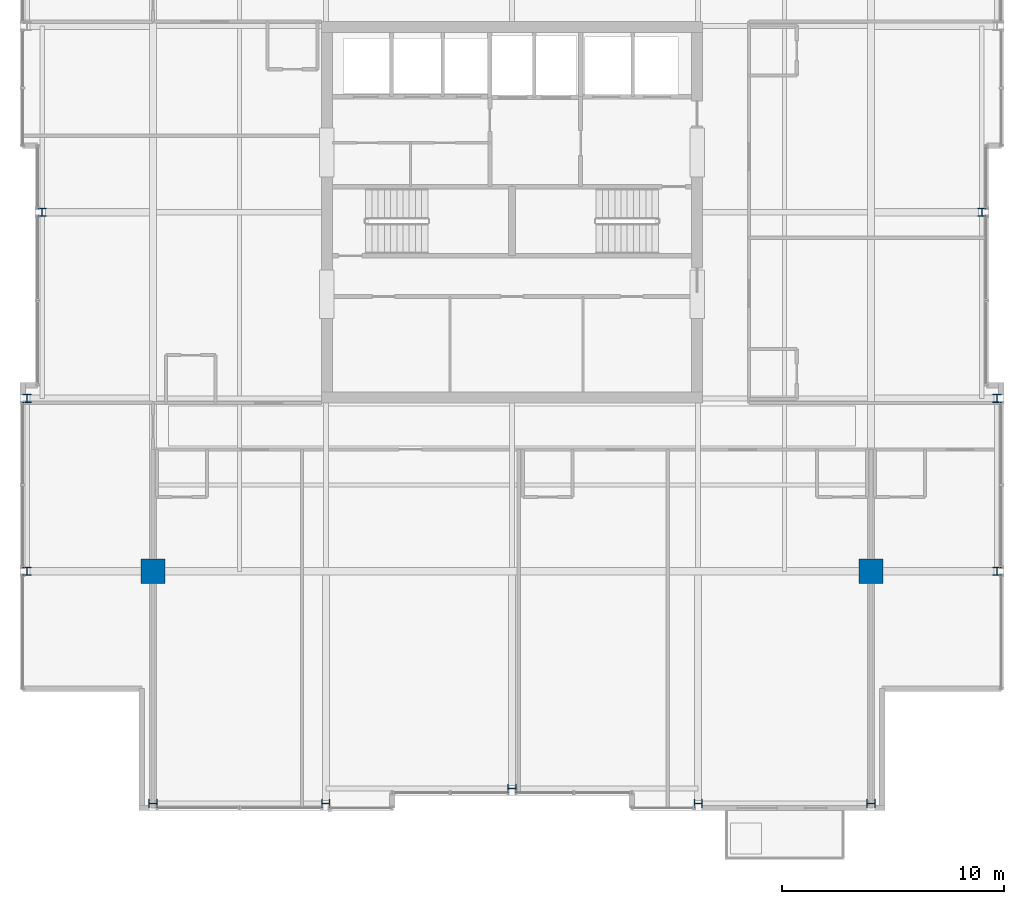
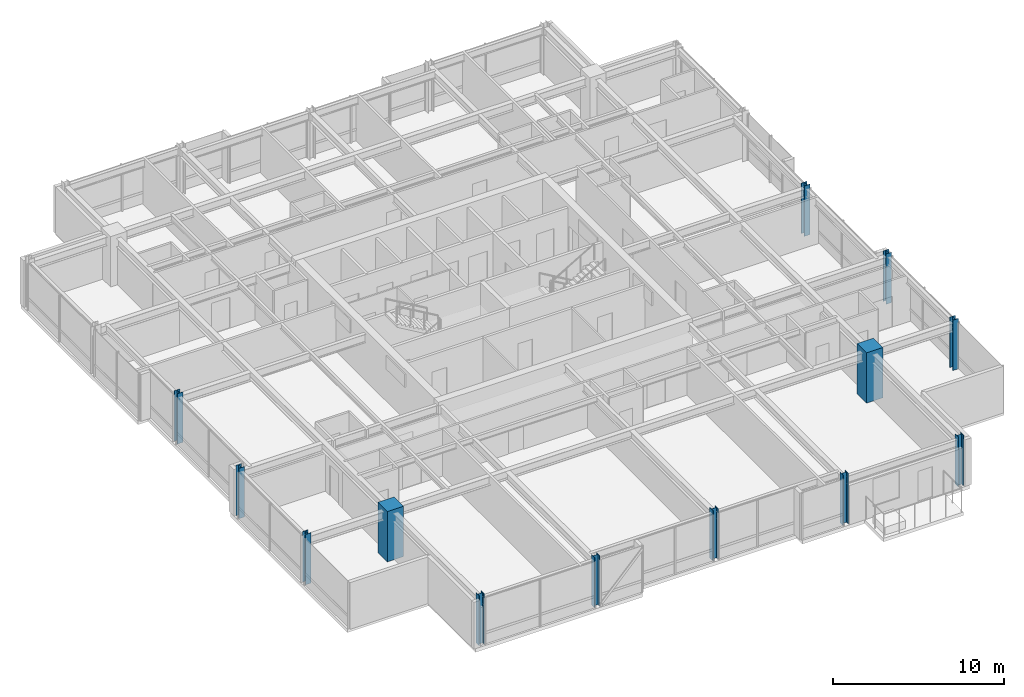
# One storey, part 1 of 32: 13 columns.
"""IFC4 building model written with IfcOpenShell, lengths in metres."""

from ifc_helpers import new_model, si_unit, direction, frame, origin, origin_2d, place, context, subcontext, project, spatial, rectangle, i_section, extrude, material, material_profile, profile_set, type_object, element, save


model = new_model("IFC4")

# Units and contexts
model_context = context("Model", 3, precision=1e-05, world=origin(), true_north=direction((0.0, 1.0)))
body_context = subcontext(model_context, "Body", "Model", "MODEL_VIEW")
ifc_project = project(units=[si_unit("LENGTHUNIT", "METRE"), si_unit("AREAUNIT", "SQUARE_METRE"), si_unit("VOLUMEUNIT", "CUBIC_METRE"), si_unit("PLANEANGLEUNIT", "RADIAN"), si_unit("MASSUNIT", "GRAM", prefix="KILO")], contexts=[model_context])

# Site, building, storey
site_placement = place(None, origin())
site = spatial("IfcSite", under=ifc_project, at=site_placement, CompositionType="ELEMENT")
building_placement = place(site_placement, origin())
building = spatial("IfcBuilding", under=site, at=building_placement, Name="Drelvath Grand Hotel", CompositionType="ELEMENT")
storey_placement = place(building_placement, frame((0.0, 0.0, 237.5)))
storey = spatial("IfcBuildingStorey", under=building, at=storey_placement, Name="L62", CompositionType="ELEMENT", Elevation=237.5)

# Columns
ifc_material_1 = material(Name="Concrete f'c 55 MPa", Category="concrete")
ifc_material_profile_1 = material_profile(ifc_material_1, rectangle(XDim=1.10009765625, YDim=1.10009765625, at=origin_2d()), Name="MC1100X1100")
ifc_profile_set_1 = profile_set([ifc_material_profile_1], Name="Concrete f'c 55 MPa")
column_type_1 = type_object("IfcColumnType", Name="Composite Mega Column MC1100X1100", PredefinedType="COLUMN", material=ifc_profile_set_1)
for number, where, z_axis, x_axis, name in (
    (1, (-16.199951171875, 10.800048828125, 0.0), (0.0, 0.0, 1.0), (1.0, 0.0, 0.0), "L62 Composite Mega Column MC-SW"),
    (2, (16.199951171875, 10.800048828125, 0.0), (0.0, 0.0, 1.0), (1.0, 0.0, 0.0), "L62 Composite Mega Column MC-SE"),
):
    element("IfcColumn", number, at=place(storey_placement, frame(where, z_axis=z_axis, x_axis=x_axis)), inside=storey, type_object=column_type_1, Name=name, PredefinedType="COLUMN", context=body_context, shape_type="SweptSolid", body=[
        extrude(rectangle(XDim=1.10009765625, YDim=1.10009765625, at=origin_2d()), origin(), (0.0, 0.0, 1.0), 3.60009765625),
    ])
ifc_material_2 = material(Name="Steel ASTM A913 Gr 65", Category="steel")
ifc_material_profile_2 = material_profile(ifc_material_2, i_section(OverallWidth=0.3740234375, OverallDepth=0.372314453125, WebThickness=0.016357421875, FlangeThickness=0.026123046875, FilletRadius=0.02490234375, at=origin_2d()), Name="W14X132")
ifc_profile_set_2 = profile_set([ifc_material_profile_2], Name="Steel ASTM A913 Gr 65")
column_type_2 = type_object("IfcColumnType", Name="Perimeter Steel Column W14X132", PredefinedType="COLUMN", material=ifc_profile_set_2)
for number, where, z_axis, x_axis, name in (
    (3, (-21.8798828125, 10.800048828125, 0.0), (0.0, 0.0, 1.0), (1.0, 0.0, 0.0), "L62 Structural Column TCW-C"),
    (4, (21.8798828125, 10.800048828125, 0.0), (0.0, 0.0, 1.0), (1.0, 0.0, 0.0), "L62 Structural Column TCE-C"),
    (5, (-21.8798828125, 18.60009765625, 0.0), (0.0, 0.0, 1.0), (1.0, 0.0, 0.0), "L62 Structural Column TCW-D"),
    (6, (21.8798828125, 18.60009765625, 0.0), (0.0, 0.0, 1.0), (1.0, 0.0, 0.0), "L62 Structural Column TCE-D"),
    (7, (-21.199951171875, 27.0, 0.0), (0.0, 0.0, 1.0), (1.0, 0.0, 0.0), "L62 Structural Column TCW-E"),
    (8, (21.199951171875, 27.0, 0.0), (0.0, 0.0, 1.0), (1.0, 0.0, 0.0), "L62 Structural Column TCE-E"),
    (9, (-16.199951171875, 0.320068359375, 0.0), (0.0, 0.0, 1.0), (0.0, 1.0, 0.0), "L62 Structural Column TCS-3"),
    (10, (-8.39990234375, 0.320068359375, 0.0), (0.0, 0.0, 1.0), (0.0, 1.0, 0.0), "L62 Structural Column TCS-4"),
    (11, (0.0, 1.0, 0.0), (0.0, 0.0, 1.0), (0.0, 1.0, 0.0), "L62 Structural Column TCS-5"),
    (12, (8.39990234375, 0.320068359375, 0.0), (0.0, 0.0, 1.0), (0.0, 1.0, 0.0), "L62 Structural Column TCS-6"),
    (13, (16.199951171875, 0.320068359375, 0.0), (0.0, 0.0, 1.0), (0.0, 1.0, 0.0), "L62 Structural Column TCS-7"),
):
    element("IfcColumn", number, at=place(storey_placement, frame(where, z_axis=z_axis, x_axis=x_axis)), inside=storey, type_object=column_type_2, Name=name, PredefinedType="COLUMN", context=body_context, shape_type="SweptSolid", body=[
        extrude(i_section(OverallWidth=0.3740234375, OverallDepth=0.372314453125, WebThickness=0.016357421875, FlangeThickness=0.026123046875, FilletRadius=0.02490234375, at=origin_2d()), origin(), (0.0, 0.0, 1.0), 3.596923828125),
    ])

save(model, "model.ifc")
